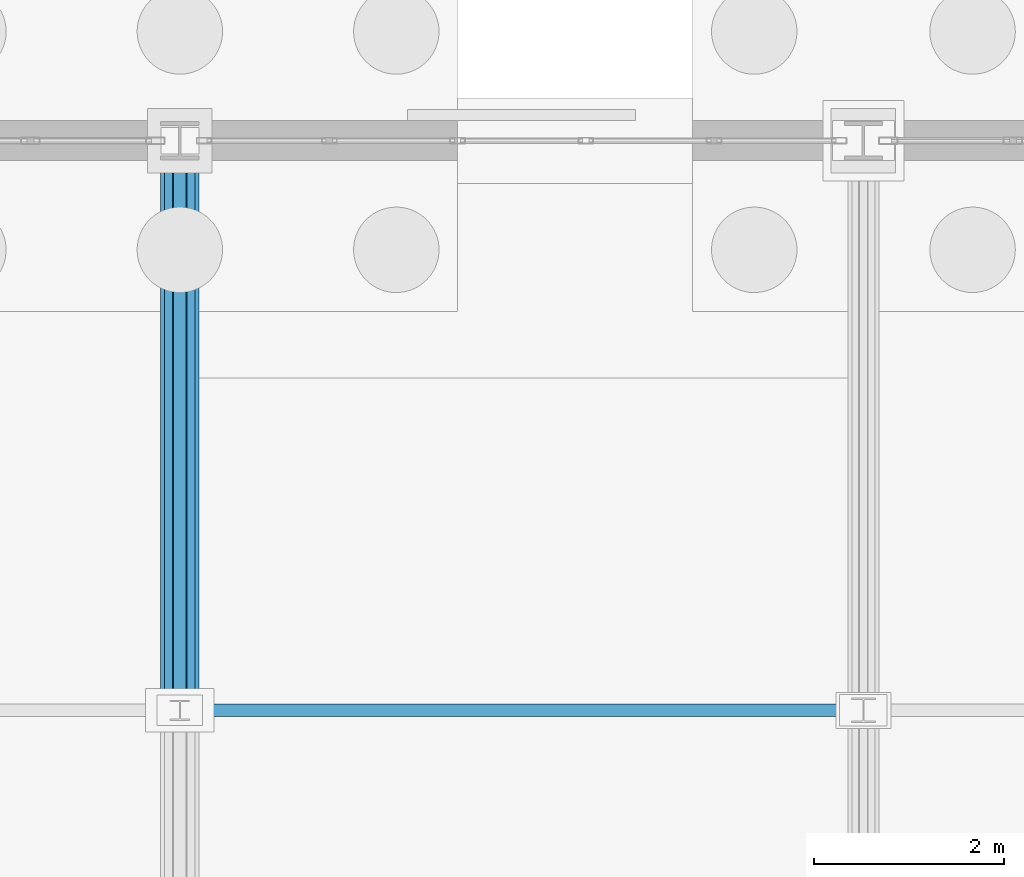
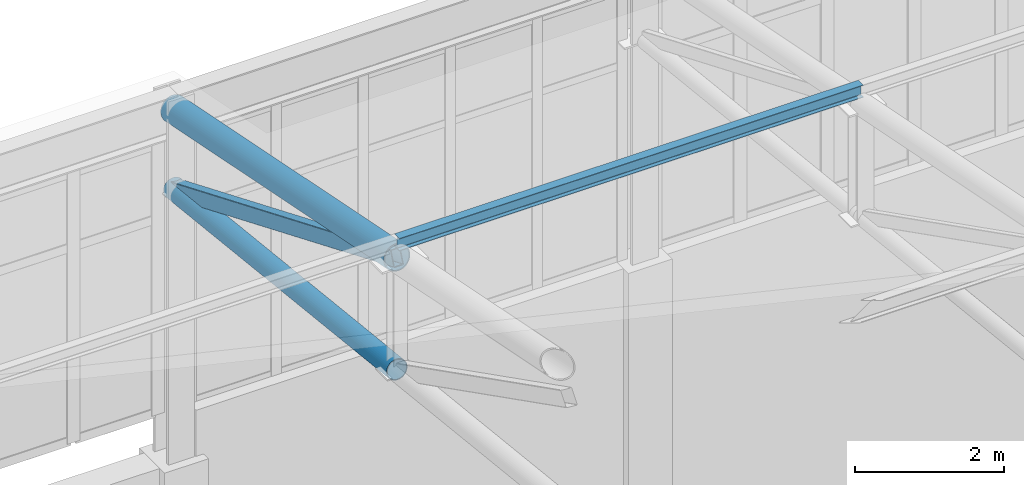
# One storey, part 214 of 293: 4 members.
"""IFC4 building model written with IfcOpenShell, lengths in metres."""

from ifc_helpers import new_model, si_unit, direction, frame, origin, origin_2d, place, context, subcontext, project, spatial, hollow_rectangle, hollow_circle, i_section, extrude, material, material_profile, profile_set, type_object, element, save


model = new_model("IFC4")

# Units and contexts
model_context = context("Model", 3, precision=1e-05, world=origin(), true_north=direction((0.0, 1.0)))
body_context = subcontext(model_context, "Body", "Model", "MODEL_VIEW")
ifc_project = project(units=[si_unit("LENGTHUNIT", "METRE"), si_unit("AREAUNIT", "SQUARE_METRE"), si_unit("VOLUMEUNIT", "CUBIC_METRE"), si_unit("PLANEANGLEUNIT", "RADIAN"), si_unit("MASSUNIT", "GRAM", prefix="KILO")], contexts=[model_context])

# Site, building, storey
site_placement = place(None, origin())
site = spatial("IfcSite", under=ifc_project, at=site_placement, CompositionType="ELEMENT")
building_placement = place(site_placement, origin())
building = spatial("IfcBuilding", under=site, at=building_placement, Name="Kemerveld Promenade Tramway Depot", CompositionType="ELEMENT")
storey_placement = place(building_placement, origin())
storey = spatial("IfcBuildingStorey", under=building, at=storey_placement, Name="L00", CompositionType="ELEMENT", Elevation=0.0)

# Members
ifc_material = material(Name="Steel S355", Category="steel")
ifc_material_profile_1 = material_profile(ifc_material, hollow_rectangle(XDim=0.14990234375, YDim=0.25, WallThickness=0.010009765625, InnerFilletRadius=0.0048828125, OuterFilletRadius=0.014892578125, at=origin_2d()), Name="250x150x10.0 RHS")
ifc_profile_set_1 = profile_set([ifc_material_profile_1], Name="Steel S355")
member_type_1 = type_object("IfcMemberType", Name="MB-M02", PredefinedType="BRACE", material=ifc_profile_set_1)
member_1_placement = place(storey_placement, frame((122.39990234375, 144.0, 9.800048828125), z_axis=(0.0, -0.923076923077, 0.384615384615), x_axis=(1.0, 0.0, 0.0)))
element("IfcMember", 1, at=member_1_placement, inside=storey, type_object=member_type_1, Name="TR-18-DG-10", PredefinedType="BRACE", context=body_context, shape_type="SweptSolid", body=[
    extrude(hollow_rectangle(XDim=0.14990234375, YDim=0.25, WallThickness=0.010009765625, InnerFilletRadius=0.0048828125, OuterFilletRadius=0.014892578125, at=origin_2d()), origin(), (0.0, 0.0, 1.0), 6.5),
])
ifc_material_profile_2 = material_profile(ifc_material, i_section(OverallWidth=0.13330078125, OverallDepth=0.203125, WebThickness=0.005615234375, FlangeThickness=0.0078125, FilletRadius=0.007568359375, at=origin_2d()), Name="203x133x25 UB")
ifc_profile_set_2 = profile_set([ifc_material_profile_2], Name="Steel S355")
member_type_2 = type_object("IfcMemberType", Name="MB-PR4", PredefinedType="PURLIN", material=ifc_profile_set_2)
member_2_placement = place(storey_placement, frame((122.39990234375, 138.0, 12.544921875), z_axis=(1.0, 0.0, 0.0), x_axis=(0.0, 1.0, 0.0)))
element("IfcMember", 2, at=member_2_placement, inside=storey, type_object=member_type_2, Name="PUR-V1-09-18", PredefinedType="PURLIN", context=body_context, shape_type="SweptSolid", body=[
    extrude(i_section(OverallWidth=0.13330078125, OverallDepth=0.203125, WebThickness=0.005615234375, FlangeThickness=0.0078125, FilletRadius=0.007568359375, at=origin_2d()), origin(), (0.0, 0.0, 1.0), 7.2001953125),
])
ifc_material_profile_3 = material_profile(ifc_material, hollow_circle(Radius=0.203125, WallThickness=0.01611328125, at=origin_2d()), Name="406.4x16.0 CHS")
ifc_profile_set_3 = profile_set([ifc_material_profile_3], Name="Steel S355")
member_type_3 = type_object("IfcMemberType", Name="MB-TC1", PredefinedType="CHORD", material=ifc_profile_set_3)
member_3_placement = place(storey_placement, frame((122.39990234375, 138.0, 12.300048828125), z_axis=(0.0, 0.980582210276, -0.196108462057), x_axis=(-1.0, 0.0, 0.0)))
element("IfcMember", 3, at=member_3_placement, inside=storey, type_object=member_type_3, Name="TR-18-TC-10", PredefinedType="CHORD", context=body_context, shape_type="SweptSolid", body=[
    extrude(hollow_circle(Radius=0.203125, WallThickness=0.01611328125, at=origin_2d()), origin(), (0.0, 0.0, 1.0), 6.118896484375),
])
ifc_material_profile_4 = material_profile(ifc_material, hollow_circle(Radius=0.161865234375, WallThickness=0.012451171875, at=origin_2d()), Name="323.9x12.5 CHS")
ifc_profile_set_4 = profile_set([ifc_material_profile_4], Name="Steel S355")
member_type_4 = type_object("IfcMemberType", Name="MB-TC2", PredefinedType="CHORD", material=ifc_profile_set_4)
member_4_placement = place(storey_placement, frame((122.39990234375, 138.0, 10.4599609375), z_axis=(0.0, 0.994005938353, -0.109326092585), x_axis=(-1.0, 0.0, 0.0)))
element("IfcMember", 4, at=member_4_placement, inside=storey, type_object=member_type_4, Name="TR-18-BC-10", PredefinedType="CHORD", context=body_context, shape_type="SweptSolid", body=[
    extrude(hollow_circle(Radius=0.161865234375, WallThickness=0.012451171875, at=origin_2d()), origin(), (0.0, 0.0, 1.0), 6.0361328125),
])

save(model, "model.ifc")
